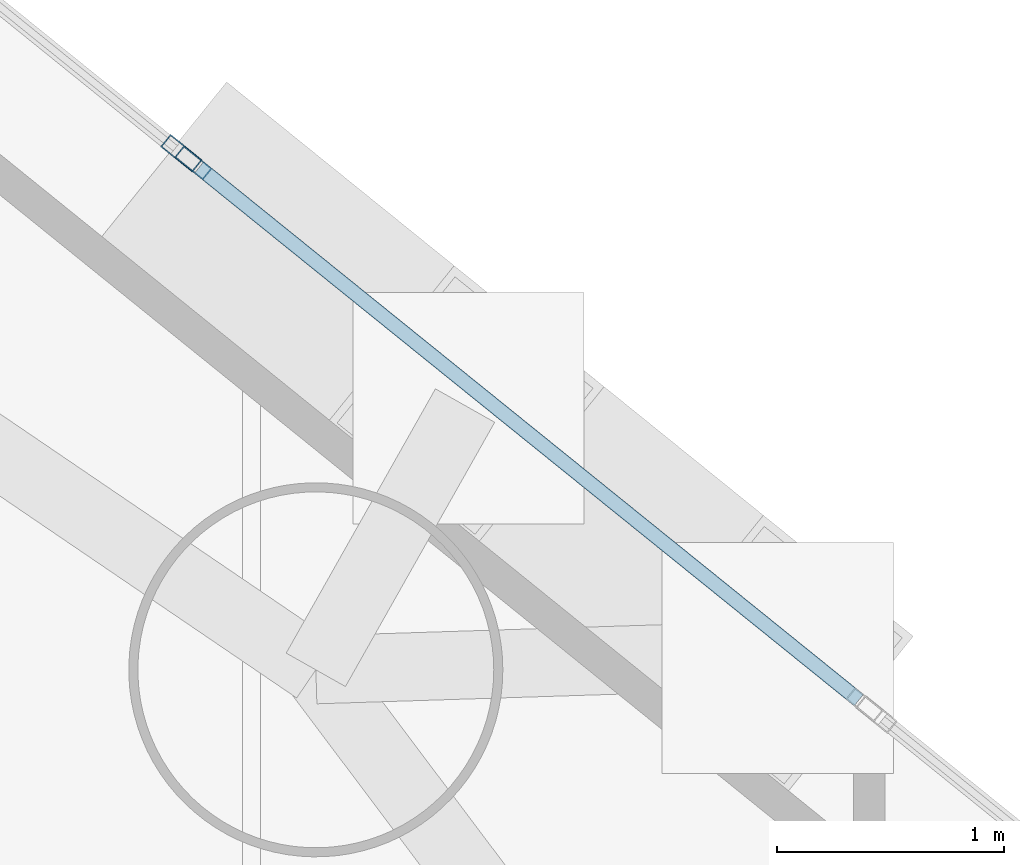
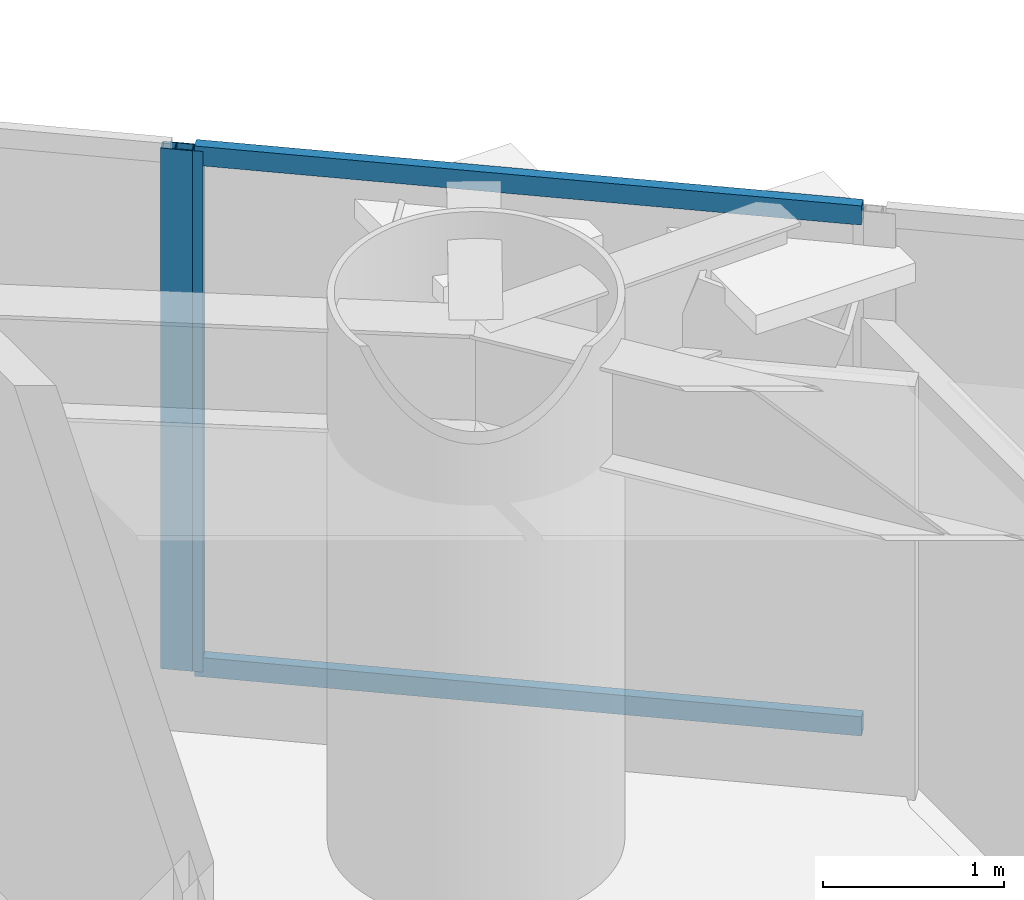
# One storey, part 11 of 23: 4 members, 2 elements without a shape of their own.
"""IFC4 building model written with IfcOpenShell, lengths in metres."""

from ifc_helpers import new_model, si_unit, direction, frame, origin, origin_2d, place, context, subcontext, project, spatial, hollow_rectangle, extrude, material, layer, layer_set, material_profile, profile_set, type_object, element, aggregate, save


model = new_model("IFC4")

# Units and contexts
model_context = context("Model", 3, precision=1e-05, world=origin(), true_north=direction((0.0, 1.0)))
body_context = subcontext(model_context, "Body", "Model", "MODEL_VIEW")
ifc_project = project(units=[si_unit("LENGTHUNIT", "METRE"), si_unit("AREAUNIT", "SQUARE_METRE"), si_unit("VOLUMEUNIT", "CUBIC_METRE"), si_unit("PLANEANGLEUNIT", "RADIAN"), si_unit("MASSUNIT", "GRAM", prefix="KILO")], contexts=[model_context])

# Site, building, storey
site_placement = place(None, origin())
site = spatial("IfcSite", under=ifc_project, at=site_placement, CompositionType="ELEMENT")
building_placement = place(site_placement, origin())
building = spatial("IfcBuilding", under=site, at=building_placement, Name="Qianvela Tower", CompositionType="ELEMENT")
storey_placement = place(building_placement, frame((0.0, 0.0, 82.10009765625)))
storey = spatial("IfcBuildingStorey", under=building, at=storey_placement, Name="L20", CompositionType="ELEMENT", Elevation=82.10009765625)

# Curtain wall, members
ifc_material_1 = material(Name="Anodised Architectural Aluminium and Insulated Spandrel Panel", Category="aluminium")
ifc_layer_1 = layer(ifc_material_1, 0.179931640625)
ifc_layer_set_1 = layer_set([ifc_layer_1], Name="Anodised Architectural Aluminium and Insulated Spandrel Panel")
curtain_wall_type_1 = type_object("IfcCurtainWallType", Name="CW-BRACEBAY", PredefinedType="USERDEFINED", material=ifc_layer_set_1)
curtain_wall_1_placement = place(storey_placement, origin())
curtain_wall_1 = element("IfcCurtainWall", 1, at=curtain_wall_1_placement, inside=storey, type_object=curtain_wall_type_1, Name="L20 CW-BRACEBAY Curtain Wall 02B", ObjectType="CURTAIN_WALL_SYSTEM", PredefinedType="USERDEFINED")
ifc_material_2 = material(Name="Anodised Architectural Aluminium 6063-T6", Category="aluminium")
ifc_material_profile_1 = material_profile(ifc_material_2, hollow_rectangle(XDim=0.06494140625, YDim=0.159912109375, WallThickness=0.0048828125, at=origin_2d()), Name="ALU-MULL-65x160")
ifc_profile_set_1 = profile_set([ifc_material_profile_1], Name="Anodised Architectural Aluminium 6063-T6")
member_type_1 = type_object("IfcMemberType", Name="CW-BRACEBAY-MULL", PredefinedType="MULLION", material=ifc_profile_set_1)
member_1_placement = place(storey_placement, frame((45.443603515625, 36.29296875, 0.0), z_axis=(0.0, 0.0, 1.0), x_axis=(-0.628145820813, -0.778095641805, 0.0)))
member_1 = element("IfcMember", 2, at=member_1_placement, type_object=member_type_1, Name="CW-9 mullion 2", PredefinedType="MULLION", context=body_context, shape_type="SweptSolid", body=[
    extrude(hollow_rectangle(XDim=0.06494140625, YDim=0.159912109375, WallThickness=0.0048828125, at=origin_2d()), origin(), (0.0, 0.0, 1.0), 3.52001953125),
])
ifc_material_3 = material(Name="Anodised Architectural Aluminium 6063-T6", Category="aluminium")
ifc_material_profile_2 = material_profile(ifc_material_3, hollow_rectangle(XDim=0.06494140625, YDim=0.1298828125, WallThickness=0.00439453125, at=origin_2d()), Name="ALU-TRAN-65x130")
ifc_profile_set_2 = profile_set([ifc_material_profile_2], Name="Anodised Architectural Aluminium 6063-T6")
member_type_2 = type_object("IfcMemberType", Name="CW-BRACEBAY-TRAN", PredefinedType="USERDEFINED", material=ifc_profile_set_2)
member_2_placement = place(storey_placement, frame((48.37890625, 33.92333984375, 0.032470703125), z_axis=(-0.778097026713, 0.628144105297, 0.0), x_axis=(-0.628144105297, -0.778097026713, 0.0)))
member_2 = element("IfcMember", 3, at=member_2_placement, type_object=member_type_2, Name="CW-9 transom 1.1", ObjectType="TRANSOM", PredefinedType="USERDEFINED", context=body_context, shape_type="SweptSolid", body=[
    extrude(hollow_rectangle(XDim=0.06494140625, YDim=0.1298828125, WallThickness=0.00439453125, at=origin_2d()), origin(), (0.0, 0.0, 1.0), 3.73974609375),
])
member_3_placement = place(storey_placement, frame((48.37890625, 33.92333984375, 3.4873046875), z_axis=(-0.778097026713, 0.628144105297, 0.0), x_axis=(-0.628144105297, -0.778097026713, 0.0)))
member_3 = element("IfcMember", 4, at=member_3_placement, type_object=member_type_2, Name="CW-9 transom 1.2", ObjectType="TRANSOM", PredefinedType="USERDEFINED", context=body_context, shape_type="SweptSolid", body=[
    extrude(hollow_rectangle(XDim=0.06494140625, YDim=0.1298828125, WallThickness=0.00439453125, at=origin_2d()), origin(), (0.0, 0.0, 1.0), 3.73974609375),
])
aggregate(curtain_wall_1, [member_1, member_2, member_3])

# Curtain wall, member
ifc_material_4 = material(Name="Anodised Architectural Aluminium and Low-E Glass", Category="aluminium")
ifc_layer_2 = layer(ifc_material_4, 0.179931640625)
ifc_layer_set_2 = layer_set([ifc_layer_2], Name="Anodised Architectural Aluminium and Low-E Glass")
curtain_wall_type_2 = type_object("IfcCurtainWallType", Name="CW-COLIV-Z12", PredefinedType="USERDEFINED", material=ifc_layer_set_2)
curtain_wall_2_placement = place(storey_placement, origin())
curtain_wall_2 = element("IfcCurtainWall", 5, at=curtain_wall_2_placement, inside=storey, type_object=curtain_wall_type_2, Name="L20 CW-COLIV-Z12 Curtain Wall 02C", ObjectType="CURTAIN_WALL_SYSTEM", PredefinedType="USERDEFINED")
ifc_material_5 = material(Name="Anodised Architectural Aluminium 6063-T6", Category="aluminium")
ifc_material_profile_3 = material_profile(ifc_material_5, hollow_rectangle(XDim=0.070068359375, YDim=0.179931640625, WallThickness=0.0048828125, at=origin_2d()), Name="ALU-MULL-70x180")
ifc_profile_set_3 = profile_set([ifc_material_profile_3], Name="Anodised Architectural Aluminium 6063-T6")
member_type_3 = type_object("IfcMemberType", Name="CW-COLIV-Z12-MULL", PredefinedType="MULLION", material=ifc_profile_set_3)
member_4_placement = place(storey_placement, frame((45.39111328125, 36.335205078125, 0.0), z_axis=(0.0, 0.0, 1.0), x_axis=(-0.628140072798, -0.778100282062, 0.0)))
member_4 = element("IfcMember", 6, at=member_4_placement, type_object=member_type_3, Name="CW-3 mullion 1", PredefinedType="MULLION", context=body_context, shape_type="SweptSolid", body=[
    extrude(hollow_rectangle(XDim=0.070068359375, YDim=0.179931640625, WallThickness=0.0048828125, at=origin_2d()), origin(), (0.0, 0.0, 1.0), 3.52001953125),
])
aggregate(curtain_wall_2, [member_4])

save(model, "model.ifc")
